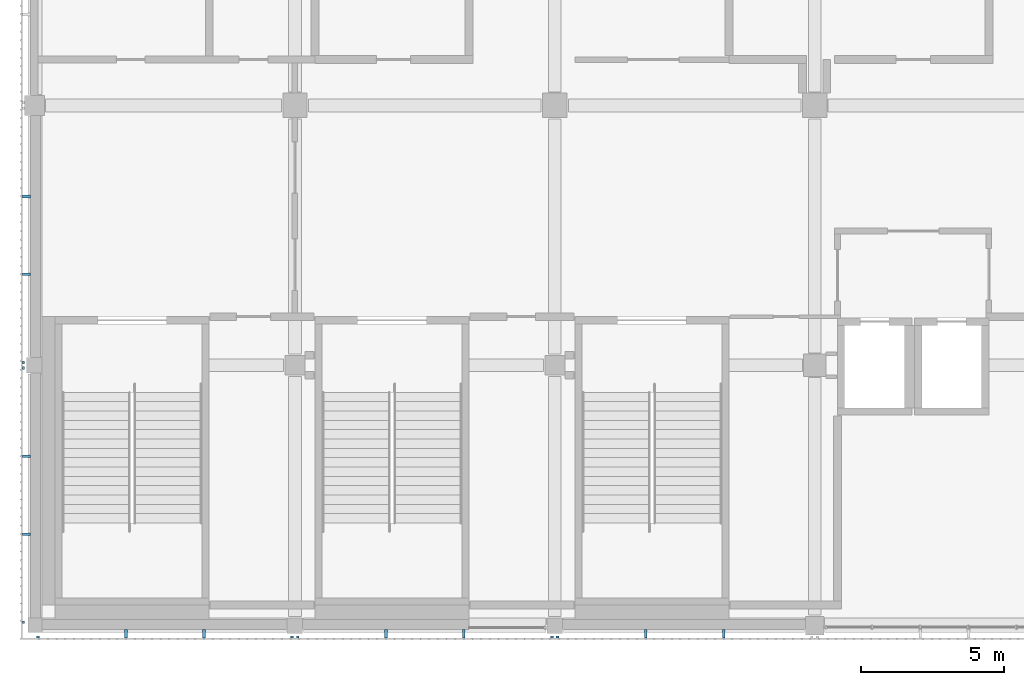
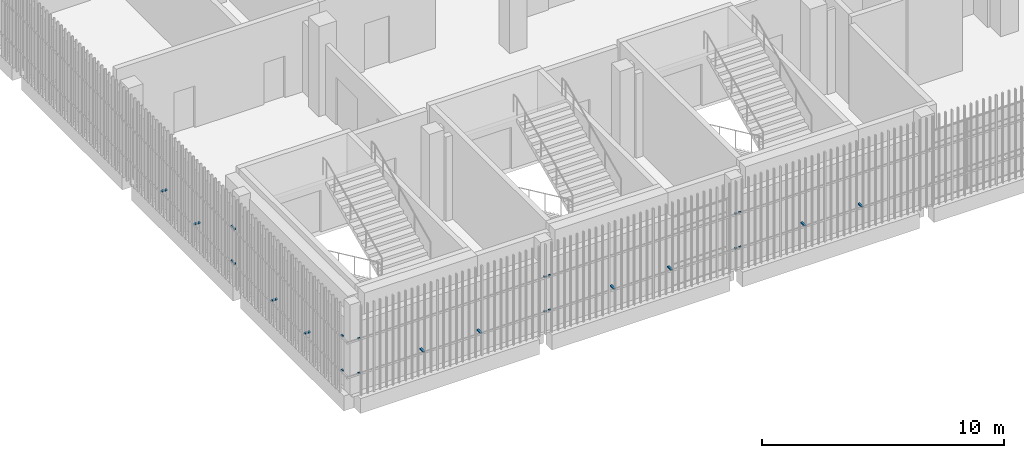
# One storey, part 92 of 126: 26 discrete accessories.
"""IFC4 building model written with IfcOpenShell, lengths in metres."""

from ifc_helpers import new_model, si_unit, direction, frame, origin, origin_2d, place, context, subcontext, project, spatial, rectangle, extrude, material, type_object, element, save


model = new_model("IFC4")

# Units and contexts
model_context = context("Model", 3, precision=1e-05, world=origin(), true_north=direction((0.0, 1.0)))
body_context = subcontext(model_context, "Body", "Model", "MODEL_VIEW")
ifc_project = project(units=[si_unit("LENGTHUNIT", "METRE"), si_unit("AREAUNIT", "SQUARE_METRE"), si_unit("VOLUMEUNIT", "CUBIC_METRE"), si_unit("PLANEANGLEUNIT", "RADIAN"), si_unit("MASSUNIT", "GRAM", prefix="KILO")], contexts=[model_context])

# Site, building, storey
site_placement = place(None, origin())
site = spatial("IfcSite", under=ifc_project, at=site_placement, CompositionType="ELEMENT")
building_placement = place(site_placement, origin())
building = spatial("IfcBuilding", under=site, at=building_placement, Name="Shirokan Park Arena", CompositionType="ELEMENT")
storey_placement = place(building_placement, frame((0.0, 0.0, 6.3701171875)))
storey = spatial("IfcBuildingStorey", under=building, at=storey_placement, Name="L01", CompositionType="ELEMENT", Elevation=6.3701171875)

# Discrete accessories
ifc_material = material(Name="Steel S355", Category="steel")
discrete_accessory_type = type_object("IfcDiscreteAccessoryType", Name="Veil bracket 100x60", PredefinedType="BRACKET", material=ifc_material)
for number, where, z_axis, x_axis, name in (
    (1, (0.10009765625, -0.409912109375, 1.06982421875), (0.0, 0.0, 1.0), (1.0, 0.0, 0.0), "Veil bracket south bay 1 L01 1"),
    (2, (9.0, -0.409912109375, 1.06982421875), (0.0, 0.0, 1.0), (1.0, 0.0, 0.0), "Veil bracket south bay 1 L01 2"),
    (3, (0.10009765625, -0.409912109375, 2.81982421875), (0.0, 0.0, 1.0), (1.0, 0.0, 0.0), "Veil bracket south bay 1 L01 3"),
    (4, (9.0, -0.409912109375, 2.81982421875), (0.0, 0.0, 1.0), (1.0, 0.0, 0.0), "Veil bracket south bay 1 L01 4"),
):
    element("IfcDiscreteAccessory", number, at=place(storey_placement, frame(where, z_axis=z_axis, x_axis=x_axis)), inside=storey, type_object=discrete_accessory_type, Name=name, PredefinedType="BRACKET", context=body_context, shape_type="SweptSolid", body=[
        extrude(rectangle(XDim=0.10009765625, YDim=0.070068359375, at=origin_2d()), origin(), (0.0, 0.0, 1.0), 0.06005859375),
    ])
for number, where, z_axis, x_axis, name in (
    (5, (3.18505859375, -0.297607421875, 1.06982421875), (0.0, 0.0, 1.0), (1.0, 0.0, 0.0), "Veil bracket south bay 1 L01 wall 1"),
    (6, (5.9150390625, -0.297607421875, 1.06982421875), (0.0, 0.0, 1.0), (1.0, 0.0, 0.0), "Veil bracket south bay 1 L01 wall 2"),
):
    element("IfcDiscreteAccessory", number, at=place(storey_placement, frame(where, z_axis=z_axis, x_axis=x_axis)), inside=storey, type_object=discrete_accessory_type, Name=name, PredefinedType="BRACKET", context=body_context, shape_type="SweptSolid", body=[
        extrude(rectangle(XDim=0.10009765625, YDim=0.294921875, at=origin_2d()), origin(), (0.0, 0.0, 1.0), 0.06005859375),
    ])
for number, where, z_axis, x_axis, name in (
    (7, (9.199951171875, -0.409912109375, 1.06982421875), (0.0, 0.0, 1.0), (1.0, 0.0, 0.0), "Veil bracket south bay 2 L01 1"),
    (8, (18.10009765625, -0.409912109375, 1.06982421875), (0.0, 0.0, 1.0), (1.0, 0.0, 0.0), "Veil bracket south bay 2 L01 2"),
    (9, (9.199951171875, -0.409912109375, 2.81982421875), (0.0, 0.0, 1.0), (1.0, 0.0, 0.0), "Veil bracket south bay 2 L01 3"),
    (10, (18.10009765625, -0.409912109375, 2.81982421875), (0.0, 0.0, 1.0), (1.0, 0.0, 0.0), "Veil bracket south bay 2 L01 4"),
):
    element("IfcDiscreteAccessory", number, at=place(storey_placement, frame(where, z_axis=z_axis, x_axis=x_axis)), inside=storey, type_object=discrete_accessory_type, Name=name, PredefinedType="BRACKET", context=body_context, shape_type="SweptSolid", body=[
        extrude(rectangle(XDim=0.10009765625, YDim=0.070068359375, at=origin_2d()), origin(), (0.0, 0.0, 1.0), 0.06005859375),
    ])
for number, where, z_axis, x_axis, name in (
    (11, (12.284912109375, -0.297607421875, 1.06982421875), (0.0, 0.0, 1.0), (1.0, 0.0, 0.0), "Veil bracket south bay 2 L01 wall 1"),
    (12, (15.014892578125, -0.297607421875, 1.06982421875), (0.0, 0.0, 1.0), (1.0, 0.0, 0.0), "Veil bracket south bay 2 L01 wall 2"),
):
    element("IfcDiscreteAccessory", number, at=place(storey_placement, frame(where, z_axis=z_axis, x_axis=x_axis)), inside=storey, type_object=discrete_accessory_type, Name=name, PredefinedType="BRACKET", context=body_context, shape_type="SweptSolid", body=[
        extrude(rectangle(XDim=0.10009765625, YDim=0.294921875, at=origin_2d()), origin(), (0.0, 0.0, 1.0), 0.06005859375),
    ])
for number, where, z_axis, x_axis, name in (
    (13, (18.300048828125, -0.409912109375, 1.06982421875), (0.0, 0.0, 1.0), (1.0, 0.0, 0.0), "Veil bracket south bay 3 L01 1"),
    (14, (18.300048828125, -0.409912109375, 2.81982421875), (0.0, 0.0, 1.0), (1.0, 0.0, 0.0), "Veil bracket south bay 3 L01 3"),
):
    element("IfcDiscreteAccessory", number, at=place(storey_placement, frame(where, z_axis=z_axis, x_axis=x_axis)), inside=storey, type_object=discrete_accessory_type, Name=name, PredefinedType="BRACKET", context=body_context, shape_type="SweptSolid", body=[
        extrude(rectangle(XDim=0.10009765625, YDim=0.070068359375, at=origin_2d()), origin(), (0.0, 0.0, 1.0), 0.06005859375),
    ])
for number, where, z_axis, x_axis, name in (
    (15, (21.385009765625, -0.297607421875, 1.06982421875), (0.0, 0.0, 1.0), (1.0, 0.0, 0.0), "Veil bracket south bay 3 L01 wall 1"),
    (16, (24.114990234375, -0.297607421875, 1.06982421875), (0.0, 0.0, 1.0), (1.0, 0.0, 0.0), "Veil bracket south bay 3 L01 wall 2"),
):
    element("IfcDiscreteAccessory", number, at=place(storey_placement, frame(where, z_axis=z_axis, x_axis=x_axis)), inside=storey, type_object=discrete_accessory_type, Name=name, PredefinedType="BRACKET", context=body_context, shape_type="SweptSolid", body=[
        extrude(rectangle(XDim=0.10009765625, YDim=0.294921875, at=origin_2d()), origin(), (0.0, 0.0, 1.0), 0.06005859375),
    ])
for number, where, z_axis, x_axis, name in (
    (17, (-0.409912109375, 9.199951171875, 1.06982421875), (0.0, 0.0, 1.0), (0.0, -1.0, 0.0), "Veil bracket west bay 11 L01 2"),
    (18, (-0.409912109375, 9.199951171875, 2.81982421875), (0.0, 0.0, 1.0), (0.0, -1.0, 0.0), "Veil bracket west bay 11 L01 4"),
):
    element("IfcDiscreteAccessory", number, at=place(storey_placement, frame(where, z_axis=z_axis, x_axis=x_axis)), inside=storey, type_object=discrete_accessory_type, Name=name, PredefinedType="BRACKET", context=body_context, shape_type="SweptSolid", body=[
        extrude(rectangle(XDim=0.10009765625, YDim=0.070068359375, at=origin_2d()), origin(), (0.0, 0.0, 1.0), 0.06005859375),
    ])
for number, where, z_axis, x_axis, name in (
    (19, (-0.297607421875, 15.014892578125, 1.06982421875), (0.0, 0.0, 1.0), (0.0, -1.0, 0.0), "Veil bracket west bay 11 L01 wall 1"),
    (20, (-0.297607421875, 12.284912109375, 1.06982421875), (0.0, 0.0, 1.0), (0.0, -1.0, 0.0), "Veil bracket west bay 11 L01 wall 2"),
):
    element("IfcDiscreteAccessory", number, at=place(storey_placement, frame(where, z_axis=z_axis, x_axis=x_axis)), inside=storey, type_object=discrete_accessory_type, Name=name, PredefinedType="BRACKET", context=body_context, shape_type="SweptSolid", body=[
        extrude(rectangle(XDim=0.10009765625, YDim=0.294921875, at=origin_2d()), origin(), (0.0, 0.0, 1.0), 0.06005859375),
    ])
for number, where, z_axis, x_axis, name in (
    (21, (-0.409912109375, 9.0, 1.06982421875), (0.0, 0.0, 1.0), (0.0, -1.0, 0.0), "Veil bracket west bay 12 L01 1"),
    (22, (-0.409912109375, 0.10009765625, 1.06982421875), (0.0, 0.0, 1.0), (0.0, -1.0, 0.0), "Veil bracket west bay 12 L01 2"),
    (23, (-0.409912109375, 9.0, 2.81982421875), (0.0, 0.0, 1.0), (0.0, -1.0, 0.0), "Veil bracket west bay 12 L01 3"),
    (24, (-0.409912109375, 0.10009765625, 2.81982421875), (0.0, 0.0, 1.0), (0.0, -1.0, 0.0), "Veil bracket west bay 12 L01 4"),
):
    element("IfcDiscreteAccessory", number, at=place(storey_placement, frame(where, z_axis=z_axis, x_axis=x_axis)), inside=storey, type_object=discrete_accessory_type, Name=name, PredefinedType="BRACKET", context=body_context, shape_type="SweptSolid", body=[
        extrude(rectangle(XDim=0.10009765625, YDim=0.070068359375, at=origin_2d()), origin(), (0.0, 0.0, 1.0), 0.06005859375),
    ])
for number, where, z_axis, x_axis, name in (
    (25, (-0.297607421875, 5.9150390625, 1.06982421875), (0.0, 0.0, 1.0), (0.0, -1.0, 0.0), "Veil bracket west bay 12 L01 wall 1"),
    (26, (-0.297607421875, 3.18505859375, 1.06982421875), (0.0, 0.0, 1.0), (0.0, -1.0, 0.0), "Veil bracket west bay 12 L01 wall 2"),
):
    element("IfcDiscreteAccessory", number, at=place(storey_placement, frame(where, z_axis=z_axis, x_axis=x_axis)), inside=storey, type_object=discrete_accessory_type, Name=name, PredefinedType="BRACKET", context=body_context, shape_type="SweptSolid", body=[
        extrude(rectangle(XDim=0.10009765625, YDim=0.294921875, at=origin_2d()), origin(), (0.0, 0.0, 1.0), 0.06005859375),
    ])

save(model, "model.ifc")
